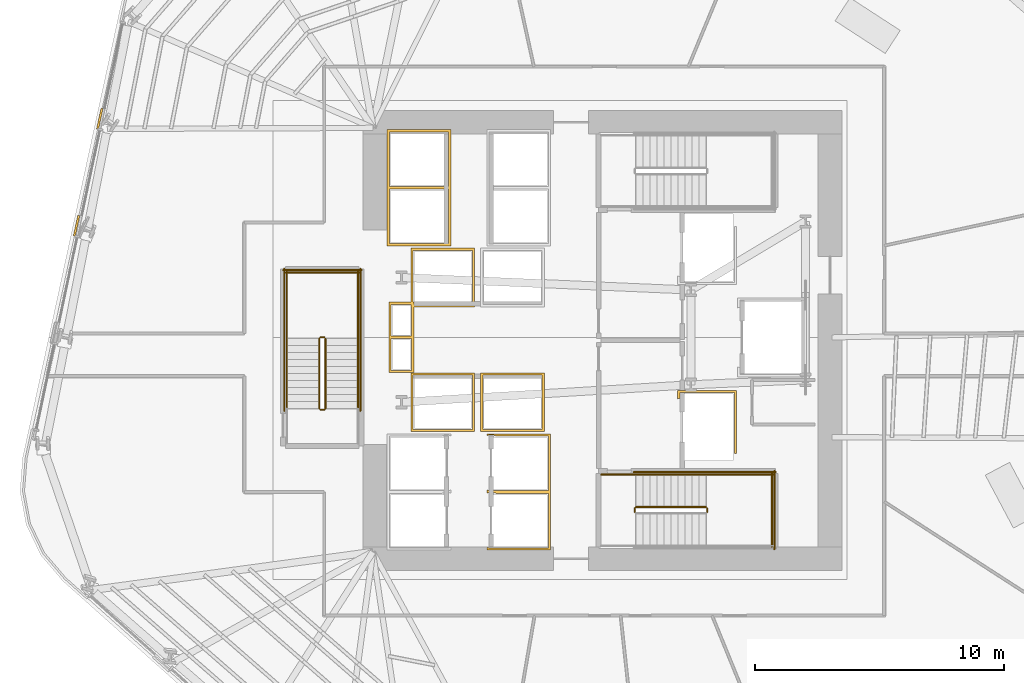
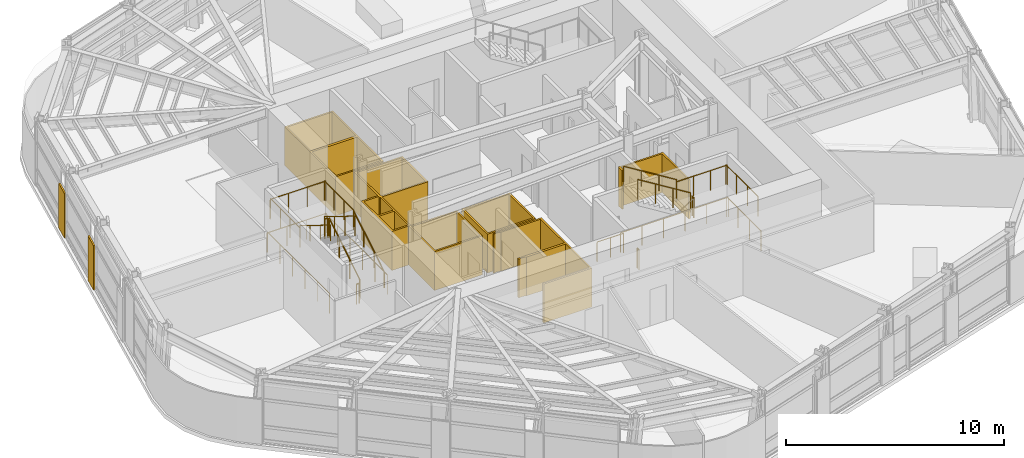
# One storey, part 12 of 16: 21 railings, 8 coverings.
"""IFC4 building model written with IfcOpenShell, lengths in metres."""

from ifc_helpers import new_model, si_unit, direction, frame, origin, origin_2d, place, context, subcontext, project, spatial, polyline, circle, outline, extrude, material, layer, layer_set, type_object, element, save


model = new_model("IFC4")

# Units and contexts
model_context = context("Model", 3, precision=1e-05, world=origin(), true_north=direction((0.0, 1.0)))
body_context = subcontext(model_context, "Body", "Model", "MODEL_VIEW")
ifc_project = project(units=[si_unit("LENGTHUNIT", "METRE"), si_unit("AREAUNIT", "SQUARE_METRE"), si_unit("VOLUMEUNIT", "CUBIC_METRE"), si_unit("PLANEANGLEUNIT", "RADIAN"), si_unit("MASSUNIT", "GRAM", prefix="KILO")], contexts=[model_context])

# Site, building, storey
site_placement = place(None, origin())
site = spatial("IfcSite", under=ifc_project, at=site_placement, CompositionType="ELEMENT")
building_placement = place(site_placement, origin())
building = spatial("IfcBuilding", under=site, at=building_placement, Name="Valkerne Bourse Tower", CompositionType="ELEMENT")
storey_placement = place(building_placement, frame((0.0, 0.0, 101.0)))
storey = spatial("IfcBuildingStorey", under=building, at=storey_placement, Name="L25", CompositionType="ELEMENT", Elevation=101.0)

# Coverings
ifc_material_1 = material(Name="Bronze Anodised Aluminium AA 6063-T6", Category="aluminium")
ifc_layer_1 = layer(ifc_material_1, 0.06005859375)
ifc_layer_set_1 = layer_set([ifc_layer_1], Name="Bronze Anodised Aluminium AA 6063-T6")
covering_type_1 = type_object("IfcCoveringType", Name="COV-CRN-ALUM", PredefinedType="CLADDING", material=ifc_layer_set_1)
covering_1_placement = place(storey_placement, origin())
element("IfcCovering", 1, at=covering_1_placement, inside=storey, type_object=covering_type_1, Name="L25 Wind-Shaped Corner Aluminium Cladding 11", PredefinedType="CLADDING", context=body_context, shape_type="SweptSolid", body=[
    extrude(outline(polyline([(25.77001953125, 31.8994140625), (25.84814453125, 31.8828125), (25.670166015625, 31.06201171875), (25.591796875, 31.07861328125), (25.77001953125, 31.8994140625)])), origin(), (0.0, 0.0, 1.0), 2.5),
])
covering_2_placement = place(storey_placement, origin())
element("IfcCovering", 2, at=covering_2_placement, inside=storey, type_object=covering_type_1, Name="L25 Wind-Shaped Corner Aluminium Cladding 12", PredefinedType="CLADDING", context=body_context, shape_type="SweptSolid", body=[
    extrude(outline(polyline([(26.699462890625, 36.182861328125), (26.777587890625, 36.166259765625), (26.599609375, 35.34521484375), (26.521240234375, 35.36181640625), (26.699462890625, 36.182861328125)])), origin(), (0.0, 0.0, 1.0), 2.5),
])
ifc_material_2 = material(Name="Gypsum Shaftwall Liner Board", Category="gypsum")
ifc_layer_2 = layer(ifc_material_2, 0.080078125)
ifc_layer_set_2 = layer_set([ifc_layer_2], Name="Gypsum Shaftwall Liner Board")
covering_type_2 = type_object("IfcCoveringType", Name="COV-SHF-CLAD", PredefinedType="CLADDING", material=ifc_layer_set_2)
covering_3_placement = place(storey_placement, origin())
element("IfcCovering", 3, at=covering_3_placement, inside=storey, type_object=covering_type_2, Name="L25 Hoistway & Riser Shaftwall Liner 02", PredefinedType="CLADDING", context=body_context, shape_type="SweptSolid", body=[
    extrude(outline(polyline([(41.679931640625, 23.219970703125), (39.1201171875, 23.219970703125), (39.1201171875, 25.580078125), (41.679931640625, 25.580078125), (41.679931640625, 23.219970703125)]), holes=[polyline([(39.2099609375, 25.489990234375), (39.2099609375, 23.31005859375), (41.590087890625, 23.31005859375), (41.590087890625, 25.489990234375), (39.2099609375, 25.489990234375)])]), origin(), (0.0, 0.0, 1.0), 2.179931640625),
])
covering_4_placement = place(storey_placement, origin())
element("IfcCovering", 4, at=covering_4_placement, inside=storey, type_object=covering_type_2, Name="L25 Hoistway & Riser Shaftwall Liner 03", PredefinedType="CLADDING", context=body_context, shape_type="SweptSolid", body=[
    extrude(outline(polyline([(44.47998046875, 23.219970703125), (41.919921875, 23.219970703125), (41.919921875, 25.580078125), (44.47998046875, 25.580078125), (44.47998046875, 23.219970703125)]), holes=[polyline([(42.010009765625, 25.489990234375), (42.010009765625, 23.31005859375), (44.389892578125, 23.31005859375), (44.389892578125, 25.489990234375), (42.010009765625, 25.489990234375)])]), origin(), (0.0, 0.0, 1.0), 2.179931640625),
])
covering_5_placement = place(storey_placement, origin())
element("IfcCovering", 5, at=covering_5_placement, inside=storey, type_object=covering_type_2, Name="L25 Hoistway & Riser Shaftwall Liner 04", PredefinedType="CLADDING", context=body_context, shape_type="SweptSolid", body=[
    extrude(outline(polyline([(38.239990234375, 28.409912109375), (39.1201171875, 28.409912109375), (39.1201171875, 30.580078125), (41.679931640625, 30.580078125), (41.679931640625, 28.219970703125), (39.239990234375, 28.219970703125), (39.239990234375, 27.0400390625), (39.239990234375, 26.9599609375), (39.239990234375, 25.590087890625), (38.239990234375, 25.590087890625), (38.239990234375, 26.9599609375), (38.239990234375, 27.0400390625), (38.239990234375, 28.409912109375)]), holes=[polyline([(39.2099609375, 30.489990234375), (39.2099609375, 28.409912109375), (39.239990234375, 28.409912109375), (39.239990234375, 28.31005859375), (41.590087890625, 28.31005859375), (41.590087890625, 30.489990234375), (39.2099609375, 30.489990234375)]), polyline([(38.330078125, 26.949951171875), (38.330078125, 25.679931640625), (39.14990234375, 25.679931640625), (39.14990234375, 26.949951171875), (38.330078125, 26.949951171875)]), polyline([(39.1201171875, 28.219970703125), (39.1201171875, 28.320068359375), (38.330078125, 28.320068359375), (38.330078125, 27.050048828125), (39.14990234375, 27.050048828125), (39.14990234375, 28.219970703125), (39.1201171875, 28.219970703125)])]), origin(), (0.0, 0.0, 1.0), 2.179931640625),
])
covering_6_placement = place(storey_placement, origin())
element("IfcCovering", 6, at=covering_6_placement, inside=storey, type_object=covering_type_2, Name="L25 Hoistway & Riser Shaftwall Liner 05", PredefinedType="CLADDING", context=body_context, shape_type="SweptSolid", body=[
    extrude(outline(polyline([(38.169921875, 35.330078125), (40.72998046875, 35.330078125), (40.72998046875, 33.030029296875), (40.72998046875, 32.969970703125), (40.72998046875, 30.669921875), (38.169921875, 30.669921875), (38.169921875, 32.969970703125), (38.169921875, 33.030029296875), (38.169921875, 35.330078125)]), holes=[polyline([(38.260009765625, 32.93994140625), (38.260009765625, 30.760009765625), (40.639892578125, 30.760009765625), (40.639892578125, 32.93994140625), (38.260009765625, 32.93994140625)]), polyline([(38.260009765625, 35.239990234375), (38.260009765625, 33.06005859375), (40.639892578125, 33.06005859375), (40.639892578125, 35.239990234375), (38.260009765625, 35.239990234375)])]), origin(), (0.0, 0.0, 1.0), 2.179931640625),
])
covering_7_placement = place(storey_placement, origin())
element("IfcCovering", 7, at=covering_7_placement, inside=storey, type_object=covering_type_2, Name="L25 Hoistway & Riser Shaftwall Liner 06", PredefinedType="CLADDING", context=body_context, shape_type="SweptSolid", body=[
    extrude(outline(polyline([(42.169921875, 20.830078125), (42.169921875, 20.887939453125), (42.177734375, 20.88427734375), (42.219482421875, 20.869384765625), (42.26220703125, 20.858642578125), (42.305908203125, 20.852294921875), (42.35009765625, 20.85009765625), (42.39404296875, 20.852294921875), (42.437744140625, 20.858642578125), (42.443115234375, 20.860107421875), (44.639892578125, 20.860107421875), (44.639892578125, 23.0400390625), (42.555419921875, 23.0400390625), (42.522216796875, 23.0556640625), (42.480712890625, 23.070556640625), (42.437744140625, 23.081298828125), (42.39404296875, 23.087890625), (42.35009765625, 23.090087890625), (42.305908203125, 23.087890625), (42.26220703125, 23.081298828125), (42.219482421875, 23.070556640625), (42.177734375, 23.0556640625), (42.169921875, 23.052001953125), (42.169921875, 23.1298828125), (44.72998046875, 23.1298828125), (44.72998046875, 20.830078125), (44.72998046875, 20.77001953125), (44.72998046875, 18.469970703125), (42.169921875, 18.469970703125), (42.169921875, 18.587890625), (42.177734375, 18.584228515625), (42.219482421875, 18.5693359375), (42.26220703125, 18.55859375), (42.305908203125, 18.55224609375), (42.35009765625, 18.550048828125), (42.39404296875, 18.55224609375), (42.437744140625, 18.55859375), (42.443115234375, 18.56005859375), (44.639892578125, 18.56005859375), (44.639892578125, 20.739990234375), (42.555419921875, 20.739990234375), (42.522216796875, 20.755615234375), (42.480712890625, 20.7705078125), (42.437744140625, 20.781494140625), (42.39404296875, 20.787841796875), (42.35009765625, 20.7900390625), (42.305908203125, 20.787841796875), (42.26220703125, 20.781494140625), (42.219482421875, 20.7705078125), (42.177734375, 20.755615234375), (42.169921875, 20.752197265625), (42.169921875, 20.77001953125), (42.169921875, 20.830078125)])), origin(), (0.0, 0.0, 1.0), 2.179931640625),
])
covering_8_placement = place(storey_placement, origin())
element("IfcCovering", 8, at=covering_8_placement, inside=storey, type_object=covering_type_2, Name="L25 Hoistway & Riser Shaftwall Liner 07", PredefinedType="CLADDING", context=body_context, shape_type="SweptSolid", body=[
    extrude(outline(polyline([(52.179931640625, 22.35009765625), (52.090087890625, 22.35009765625), (52.090087890625, 24.7900390625), (49.909912109375, 24.7900390625), (49.909912109375, 24.560791015625), (49.869384765625, 24.550537109375), (49.827880859375, 24.53564453125), (49.820068359375, 24.531982421875), (49.820068359375, 24.8798828125), (52.179931640625, 24.8798828125), (52.179931640625, 22.35009765625)])), origin(), (0.0, 0.0, 1.0), 2.179931640625),
])

# Railings
ifc_material_3 = material(Name="Galvanised Painted Steel", Category="steel")
railing_type_1 = type_object("IfcRailingType", Name="RLG-ST-GUARD-1120", PredefinedType="GUARDRAIL", material=ifc_material_3)
railing_1_placement = place(storey_placement, frame((51.0, 20.0, 1.89990234375)))
element("IfcRailing", 9, at=railing_1_placement, inside=storey, type_object=railing_type_1, Name="L25 ST-1 stair guard 2", PredefinedType="GUARDRAIL", context=body_context, shape_type="SweptSolid", body=[
    extrude(circle(Radius=0.02392578125, at=origin_2d()), frame((0.0, 0.0, 1.09619140625), z_axis=(0.0, 1.0, 0.0), x_axis=(-1.0, 0.0, 0.0)), (0.0, 0.0, 1.0), 0.14990234375),
    extrude(circle(Radius=0.02099609375, at=origin_2d()), origin(), (0.0, 0.0, 1.0), 1.072021484375),
    extrude(circle(Radius=0.02099609375, at=origin_2d()), frame((0.0, 0.14990234375, 0.0)), (0.0, 0.0, 1.0), 1.072021484375),
])
railing_2_placement = place(storey_placement, frame((50.949951171875, 21.5, 1.89990234375)))
element("IfcRailing", 10, at=railing_2_placement, inside=storey, type_object=railing_type_1, Name="L25 ST-1 stair guard 4", PredefinedType="GUARDRAIL", context=body_context, shape_type="SweptSolid", body=[
    extrude(circle(Radius=0.02392578125, at=origin_2d()), frame((0.0, 0.0, 1.09619140625), z_axis=(1.0, 0.0, 0.0), x_axis=(0.0, 1.0, 0.0)), (0.0, 0.0, 1.0), 2.699951171875),
    extrude(circle(Radius=0.02099609375, at=origin_2d()), origin(), (0.0, 0.0, 1.0), 1.072021484375),
    extrude(circle(Radius=0.02099609375, at=origin_2d()), frame((0.89990234375, 0.0, 0.0)), (0.0, 0.0, 1.0), 1.072021484375),
    extrude(circle(Radius=0.02099609375, at=origin_2d()), frame((1.800048828125, 0.0, 0.0)), (0.0, 0.0, 1.0), 1.072021484375),
    extrude(circle(Radius=0.02099609375, at=origin_2d()), frame((2.699951171875, 0.0, 0.0)), (0.0, 0.0, 1.0), 1.072021484375),
])
railing_3_placement = place(storey_placement, frame((53.60009765625, 18.60009765625, 1.89990234375)))
element("IfcRailing", 11, at=railing_3_placement, inside=storey, type_object=railing_type_1, Name="L25 ST-1 stair guard 5", PredefinedType="GUARDRAIL", context=body_context, shape_type="SweptSolid", body=[
    extrude(circle(Radius=0.02392578125, at=origin_2d()), frame((0.0, 0.0, 1.09619140625), z_axis=(0.0, 1.0, 0.0), x_axis=(-1.0, 0.0, 0.0)), (0.0, 0.0, 1.0), 2.949951171875),
    extrude(circle(Radius=0.02099609375, at=origin_2d()), origin(), (0.0, 0.0, 1.0), 1.072021484375),
    extrude(circle(Radius=0.02099609375, at=origin_2d()), frame((0.0, 0.9833984375, 0.0)), (0.0, 0.0, 1.0), 1.072021484375),
    extrude(circle(Radius=0.02099609375, at=origin_2d()), frame((0.0, 1.966552734375, 0.0)), (0.0, 0.0, 1.0), 1.072021484375),
    extrude(circle(Radius=0.02099609375, at=origin_2d()), frame((0.0, 2.949951171875, 0.0)), (0.0, 0.0, 1.0), 1.072021484375),
])
railing_4_placement = place(storey_placement, frame((50.949951171875, 20.199951171875, 2.07275390625)))
element("IfcRailing", 12, at=railing_4_placement, inside=storey, type_object=railing_type_1, Name="L25 ST-1 stair guard 6", PredefinedType="GUARDRAIL", context=body_context, shape_type="SweptSolid", body=[
    extrude(circle(Radius=0.02392578125, at=origin_2d()), frame((0.0, 0.0, 1.09619140625), z_axis=(-0.851089632645, 0.0, 0.525020415988), x_axis=(0.0, -1.0, 0.0)), (0.0, 0.0, 1.0), 3.2900390625),
    extrude(circle(Radius=0.02099609375, at=origin_2d()), origin(), (0.0, 0.0, 1.0), 1.072021484375),
    extrude(circle(Radius=0.02099609375, at=origin_2d()), frame((-0.933349609375, 0.0, 0.57568359375)), (0.0, 0.0, 1.0), 1.072021484375),
    extrude(circle(Radius=0.02099609375, at=origin_2d()), frame((-1.86669921875, 0.0, 1.151611328125)), (0.0, 0.0, 1.0), 1.072021484375),
    extrude(circle(Radius=0.02099609375, at=origin_2d()), frame((-2.800048828125, 0.0, 1.727294921875)), (0.0, 0.0, 1.0), 1.072021484375),
])
railing_5_placement = place(storey_placement, frame((48.10009765625, 20.0, 0.0)))
element("IfcRailing", 13, at=railing_5_placement, inside=storey, type_object=railing_type_1, Name="L25 ST-1 stair guard 7", PredefinedType="GUARDRAIL", context=body_context, shape_type="SweptSolid", body=[
    extrude(circle(Radius=0.02392578125, at=origin_2d()), frame((0.0, 0.0, 1.09619140625), z_axis=(0.0, 1.0, 0.0), x_axis=(-1.0, 0.0, 0.0)), (0.0, 0.0, 1.0), 0.14990234375),
    extrude(circle(Radius=0.02099609375, at=origin_2d()), origin(), (0.0, 0.0, 1.0), 1.072021484375),
    extrude(circle(Radius=0.02099609375, at=origin_2d()), frame((0.0, 0.14990234375, 0.0)), (0.0, 0.0, 1.0), 1.072021484375),
])
railing_6_placement = place(storey_placement, frame((46.75, 21.5, 0.0)))
element("IfcRailing", 14, at=railing_6_placement, inside=storey, type_object=railing_type_1, Name="L25 ST-1 stair guard 9", PredefinedType="GUARDRAIL", context=body_context, shape_type="SweptSolid", body=[
    extrude(circle(Radius=0.02392578125, at=origin_2d()), frame((0.0, 0.0, 1.09619140625), z_axis=(1.0, 0.0, 0.0), x_axis=(0.0, 1.0, 0.0)), (0.0, 0.0, 1.0), 1.39990234375),
    extrude(circle(Radius=0.02099609375, at=origin_2d()), origin(), (0.0, 0.0, 1.0), 1.072021484375),
    extrude(circle(Radius=0.02099609375, at=origin_2d()), frame((0.699951171875, 0.0, 0.0)), (0.0, 0.0, 1.0), 1.072021484375),
    extrude(circle(Radius=0.02099609375, at=origin_2d()), frame((1.39990234375, 0.0, 0.0)), (0.0, 0.0, 1.0), 1.072021484375),
])
railing_7_placement = place(storey_placement, frame((48.050048828125, 21.60009765625, 0.0)))
element("IfcRailing", 15, at=railing_7_placement, inside=storey, type_object=railing_type_1, Name="L25 ST-1 stair guard 11", PredefinedType="GUARDRAIL", context=body_context, shape_type="SweptSolid", body=[
    extrude(circle(Radius=0.02392578125, at=origin_2d()), frame((0.0, 0.0, 1.09619140625), z_axis=(1.0, 0.0, 0.0), x_axis=(0.0, 1.0, 0.0)), (0.0, 0.0, 1.0), 5.699951171875),
    extrude(circle(Radius=0.02099609375, at=origin_2d()), origin(), (0.0, 0.0, 1.0), 1.072021484375),
    extrude(circle(Radius=0.02099609375, at=origin_2d()), frame((1.139892578125, 0.0, 0.0)), (0.0, 0.0, 1.0), 1.072021484375),
    extrude(circle(Radius=0.02099609375, at=origin_2d()), frame((2.280029296875, 0.0, 0.0)), (0.0, 0.0, 1.0), 1.072021484375),
    extrude(circle(Radius=0.02099609375, at=origin_2d()), frame((3.419921875, 0.0, 0.0)), (0.0, 0.0, 1.0), 1.072021484375),
    extrude(circle(Radius=0.02099609375, at=origin_2d()), frame((4.56005859375, 0.0, 0.0)), (0.0, 0.0, 1.0), 1.072021484375),
    extrude(circle(Radius=0.02099609375, at=origin_2d()), frame((5.699951171875, 0.0, 0.0)), (0.0, 0.0, 1.0), 1.072021484375),
])
railing_8_placement = place(storey_placement, frame((53.699951171875, 18.5, 0.0)))
element("IfcRailing", 16, at=railing_8_placement, inside=storey, type_object=railing_type_1, Name="L25 ST-1 stair guard 12", PredefinedType="GUARDRAIL", context=body_context, shape_type="SweptSolid", body=[
    extrude(circle(Radius=0.02392578125, at=origin_2d()), frame((0.0, 0.0, 1.09619140625), z_axis=(0.0, 1.0, 0.0), x_axis=(-1.0, 0.0, 0.0)), (0.0, 0.0, 1.0), 3.14990234375),
    extrude(circle(Radius=0.02099609375, at=origin_2d()), origin(), (0.0, 0.0, 1.0), 1.072021484375),
    extrude(circle(Radius=0.02099609375, at=origin_2d()), frame((0.0, 1.050048828125, 0.0)), (0.0, 0.0, 1.0), 1.072021484375),
    extrude(circle(Radius=0.02099609375, at=origin_2d()), frame((0.0, 2.099853515625, 0.0)), (0.0, 0.0, 1.0), 1.072021484375),
    extrude(circle(Radius=0.02099609375, at=origin_2d()), frame((0.0, 3.14990234375, 0.0)), (0.0, 0.0, 1.0), 1.072021484375),
])
railing_9_placement = place(storey_placement, frame((35.699951171875, 24.14990234375, 0.172607421875)))
element("IfcRailing", 17, at=railing_9_placement, inside=storey, type_object=railing_type_1, Name="L25 ST-3 stair guard 1", PredefinedType="GUARDRAIL", context=body_context, shape_type="SweptSolid", body=[
    extrude(circle(Radius=0.02392578125, at=origin_2d()), frame((0.0, 0.0, 1.09619140625), z_axis=(0.0, 0.851089632645, 0.525020415988), x_axis=(-1.0, 0.0, 0.0)), (0.0, 0.0, 1.0), 3.2900390625),
    extrude(circle(Radius=0.02099609375, at=origin_2d()), origin(), (0.0, 0.0, 1.0), 1.072021484375),
    extrude(circle(Radius=0.02099609375, at=origin_2d()), frame((0.0, 0.933349609375, 0.57568359375)), (0.0, 0.0, 1.0), 1.072021484375),
    extrude(circle(Radius=0.02099609375, at=origin_2d()), frame((0.0, 1.86669921875, 1.151611328125)), (0.0, 0.0, 1.0), 1.072021484375),
    extrude(circle(Radius=0.02099609375, at=origin_2d()), frame((0.0, 2.800048828125, 1.727294921875)), (0.0, 0.0, 1.0), 1.072021484375),
])
railing_10_placement = place(storey_placement, frame((35.64990234375, 27.0, 1.89990234375)))
element("IfcRailing", 18, at=railing_10_placement, inside=storey, type_object=railing_type_1, Name="L25 ST-3 stair guard 2", PredefinedType="GUARDRAIL", context=body_context, shape_type="SweptSolid", body=[
    extrude(circle(Radius=0.02392578125, at=origin_2d()), frame((0.0, 0.0, 1.09619140625), z_axis=(-1.0, 0.0, 0.0), x_axis=(0.0, -1.0, 0.0)), (0.0, 0.0, 1.0), 0.14990234375),
    extrude(circle(Radius=0.02099609375, at=origin_2d()), origin(), (0.0, 0.0, 1.0), 1.072021484375),
    extrude(circle(Radius=0.02099609375, at=origin_2d()), frame((-0.14990234375, 0.0, 0.0)), (0.0, 0.0, 1.0), 1.072021484375),
])
for number, where, name in (
    (19, (37.0, 26.949951171875, 1.89990234375), "L25 ST-3 stair guard 3"),
    (20, (34.14990234375, 26.949951171875, 1.89990234375), "L25 ST-3 stair guard 4"),
):
    element("IfcRailing", number, at=place(storey_placement, frame(where)), inside=storey, type_object=railing_type_1, Name=name, PredefinedType="GUARDRAIL", context=body_context, shape_type="SweptSolid", body=[
        extrude(circle(Radius=0.02392578125, at=origin_2d()), frame((0.0, 0.0, 1.09619140625), z_axis=(0.0, 1.0, 0.0), x_axis=(-1.0, 0.0, 0.0)), (0.0, 0.0, 1.0), 2.699951171875),
        extrude(circle(Radius=0.02099609375, at=origin_2d()), origin(), (0.0, 0.0, 1.0), 1.072021484375),
        extrude(circle(Radius=0.02099609375, at=origin_2d()), frame((0.0, 0.89990234375, 0.0)), (0.0, 0.0, 1.0), 1.072021484375),
        extrude(circle(Radius=0.02099609375, at=origin_2d()), frame((0.0, 1.800048828125, 0.0)), (0.0, 0.0, 1.0), 1.072021484375),
        extrude(circle(Radius=0.02099609375, at=origin_2d()), frame((0.0, 2.699951171875, 0.0)), (0.0, 0.0, 1.0), 1.072021484375),
    ])
railing_11_placement = place(storey_placement, frame((37.050048828125, 29.60009765625, 1.89990234375)))
element("IfcRailing", 21, at=railing_11_placement, inside=storey, type_object=railing_type_1, Name="L25 ST-3 stair guard 5", PredefinedType="GUARDRAIL", context=body_context, shape_type="SweptSolid", body=[
    extrude(circle(Radius=0.02392578125, at=origin_2d()), frame((0.0, 0.0, 1.09619140625), z_axis=(-1.0, 0.0, 0.0), x_axis=(0.0, -1.0, 0.0)), (0.0, 0.0, 1.0), 2.949951171875),
    extrude(circle(Radius=0.02099609375, at=origin_2d()), origin(), (0.0, 0.0, 1.0), 1.072021484375),
    extrude(circle(Radius=0.02099609375, at=origin_2d()), frame((-0.9833984375, 0.0, 0.0)), (0.0, 0.0, 1.0), 1.072021484375),
    extrude(circle(Radius=0.02099609375, at=origin_2d()), frame((-1.966552734375, 0.0, 0.0)), (0.0, 0.0, 1.0), 1.072021484375),
    extrude(circle(Radius=0.02099609375, at=origin_2d()), frame((-2.949951171875, 0.0, 0.0)), (0.0, 0.0, 1.0), 1.072021484375),
])
railing_12_placement = place(storey_placement, frame((35.449951171875, 26.949951171875, 2.07275390625)))
element("IfcRailing", 22, at=railing_12_placement, inside=storey, type_object=railing_type_1, Name="L25 ST-3 stair guard 6", PredefinedType="GUARDRAIL", context=body_context, shape_type="SweptSolid", body=[
    extrude(circle(Radius=0.02392578125, at=origin_2d()), frame((0.0, 0.0, 1.09619140625), z_axis=(0.0, -0.851089632645, 0.525020415988), x_axis=(1.0, 0.0, 0.0)), (0.0, 0.0, 1.0), 3.2900390625),
    extrude(circle(Radius=0.02099609375, at=origin_2d()), origin(), (0.0, 0.0, 1.0), 1.072021484375),
    extrude(circle(Radius=0.02099609375, at=origin_2d()), frame((0.0, -0.933349609375, 0.57568359375)), (0.0, 0.0, 1.0), 1.072021484375),
    extrude(circle(Radius=0.02099609375, at=origin_2d()), frame((0.0, -1.86669921875, 1.151611328125)), (0.0, 0.0, 1.0), 1.072021484375),
    extrude(circle(Radius=0.02099609375, at=origin_2d()), frame((0.0, -2.800048828125, 1.727294921875)), (0.0, 0.0, 1.0), 1.072021484375),
])
railing_13_placement = place(storey_placement, frame((35.64990234375, 24.10009765625, 0.0)))
element("IfcRailing", 23, at=railing_13_placement, inside=storey, type_object=railing_type_1, Name="L25 ST-3 stair guard 7", PredefinedType="GUARDRAIL", context=body_context, shape_type="SweptSolid", body=[
    extrude(circle(Radius=0.02392578125, at=origin_2d()), frame((0.0, 0.0, 1.09619140625), z_axis=(-1.0, 0.0, 0.0), x_axis=(0.0, -1.0, 0.0)), (0.0, 0.0, 1.0), 0.14990234375),
    extrude(circle(Radius=0.02099609375, at=origin_2d()), origin(), (0.0, 0.0, 1.0), 1.072021484375),
    extrude(circle(Radius=0.02099609375, at=origin_2d()), frame((-0.14990234375, 0.0, 0.0)), (0.0, 0.0, 1.0), 1.072021484375),
])
for number, where, name in (
    (24, (37.10009765625, 24.050048828125, 0.0), "L25 ST-3 stair guard 10"),
    (25, (34.050048828125, 24.050048828125, 0.0), "L25 ST-3 stair guard 11"),
):
    element("IfcRailing", number, at=place(storey_placement, frame(where)), inside=storey, type_object=railing_type_1, Name=name, PredefinedType="GUARDRAIL", context=body_context, shape_type="SweptSolid", body=[
        extrude(circle(Radius=0.02392578125, at=origin_2d()), frame((0.0, 0.0, 1.09619140625), z_axis=(0.0, 1.0, 0.0), x_axis=(-1.0, 0.0, 0.0)), (0.0, 0.0, 1.0), 5.699951171875),
        extrude(circle(Radius=0.02099609375, at=origin_2d()), origin(), (0.0, 0.0, 1.0), 1.072021484375),
        extrude(circle(Radius=0.02099609375, at=origin_2d()), frame((0.0, 1.139892578125, 0.0)), (0.0, 0.0, 1.0), 1.072021484375),
        extrude(circle(Radius=0.02099609375, at=origin_2d()), frame((0.0, 2.280029296875, 0.0)), (0.0, 0.0, 1.0), 1.072021484375),
        extrude(circle(Radius=0.02099609375, at=origin_2d()), frame((0.0, 3.419921875, 0.0)), (0.0, 0.0, 1.0), 1.072021484375),
        extrude(circle(Radius=0.02099609375, at=origin_2d()), frame((0.0, 4.56005859375, 0.0)), (0.0, 0.0, 1.0), 1.072021484375),
        extrude(circle(Radius=0.02099609375, at=origin_2d()), frame((0.0, 5.699951171875, 0.0)), (0.0, 0.0, 1.0), 1.072021484375),
    ])
railing_14_placement = place(storey_placement, frame((37.14990234375, 29.699951171875, 0.0)))
element("IfcRailing", 26, at=railing_14_placement, inside=storey, type_object=railing_type_1, Name="L25 ST-3 stair guard 12", PredefinedType="GUARDRAIL", context=body_context, shape_type="SweptSolid", body=[
    extrude(circle(Radius=0.02392578125, at=origin_2d()), frame((0.0, 0.0, 1.09619140625), z_axis=(-1.0, 0.0, 0.0), x_axis=(0.0, -1.0, 0.0)), (0.0, 0.0, 1.0), 3.14990234375),
    extrude(circle(Radius=0.02099609375, at=origin_2d()), origin(), (0.0, 0.0, 1.0), 1.072021484375),
    extrude(circle(Radius=0.02099609375, at=origin_2d()), frame((-1.050048828125, 0.0, 0.0)), (0.0, 0.0, 1.0), 1.072021484375),
    extrude(circle(Radius=0.02099609375, at=origin_2d()), frame((-2.099853515625, 0.0, 0.0)), (0.0, 0.0, 1.0), 1.072021484375),
    extrude(circle(Radius=0.02099609375, at=origin_2d()), frame((-3.14990234375, 0.0, 0.0)), (0.0, 0.0, 1.0), 1.072021484375),
])
ifc_material_4 = material(Name="Stainless Steel AISI 316", Category="steel")
railing_type_2 = type_object("IfcRailingType", Name="RLG-ST-HANDRAIL-900", PredefinedType="HANDRAIL", material=ifc_material_4)
railing_15_placement = place(storey_placement, frame((50.949951171875, 21.5, 2.245361328125)))
element("IfcRailing", 27, at=railing_15_placement, inside=storey, type_object=railing_type_2, Name="L25 ST-1 stair handrail 2", PredefinedType="HANDRAIL", context=body_context, shape_type="SweptSolid", body=[
    extrude(circle(Radius=0.02392578125, at=origin_2d()), frame((0.0, 0.0, 0.8759765625), z_axis=(-0.851089632645, 0.0, 0.525020415988), x_axis=(0.0, -1.0, 0.0)), (0.0, 0.0, 1.0), 3.2900390625),
    extrude(circle(Radius=0.02099609375, at=origin_2d()), origin(), (0.0, 0.0, 1.0), 0.851806640625),
    extrude(circle(Radius=0.02099609375, at=origin_2d()), frame((-0.933349609375, 0.0, 0.57568359375)), (0.0, 0.0, 1.0), 0.851806640625),
    extrude(circle(Radius=0.02099609375, at=origin_2d()), frame((-1.86669921875, 0.0, 1.151611328125)), (0.0, 0.0, 1.0), 0.851806640625),
    extrude(circle(Radius=0.02099609375, at=origin_2d()), frame((-2.800048828125, 0.0, 1.727294921875)), (0.0, 0.0, 1.0), 0.851806640625),
])
railing_16_placement = place(storey_placement, frame((37.0, 24.14990234375, 0.345458984375)))
element("IfcRailing", 28, at=railing_16_placement, inside=storey, type_object=railing_type_2, Name="L25 ST-3 stair handrail 1", PredefinedType="HANDRAIL", context=body_context, shape_type="SweptSolid", body=[
    extrude(circle(Radius=0.02392578125, at=origin_2d()), frame((0.0, 0.0, 0.8759765625), z_axis=(0.0, 0.851089632645, 0.525020415988), x_axis=(-1.0, 0.0, 0.0)), (0.0, 0.0, 1.0), 3.2900390625),
    extrude(circle(Radius=0.02099609375, at=origin_2d()), origin(), (0.0, 0.0, 1.0), 0.851806640625),
    extrude(circle(Radius=0.02099609375, at=origin_2d()), frame((0.0, 0.933349609375, 0.57568359375)), (0.0, 0.0, 1.0), 0.851806640625),
    extrude(circle(Radius=0.02099609375, at=origin_2d()), frame((0.0, 1.86669921875, 1.151611328125)), (0.0, 0.0, 1.0), 0.851806640625),
    extrude(circle(Radius=0.02099609375, at=origin_2d()), frame((0.0, 2.800048828125, 1.727294921875)), (0.0, 0.0, 1.0), 0.851806640625),
])
railing_17_placement = place(storey_placement, frame((34.14990234375, 26.949951171875, 2.245361328125)))
element("IfcRailing", 29, at=railing_17_placement, inside=storey, type_object=railing_type_2, Name="L25 ST-3 stair handrail 2", PredefinedType="HANDRAIL", context=body_context, shape_type="SweptSolid", body=[
    extrude(circle(Radius=0.02392578125, at=origin_2d()), frame((0.0, 0.0, 0.8759765625), z_axis=(0.0, -0.851089632645, 0.525020415988), x_axis=(1.0, 0.0, 0.0)), (0.0, 0.0, 1.0), 3.2900390625),
    extrude(circle(Radius=0.02099609375, at=origin_2d()), origin(), (0.0, 0.0, 1.0), 0.851806640625),
    extrude(circle(Radius=0.02099609375, at=origin_2d()), frame((0.0, -0.933349609375, 0.57568359375)), (0.0, 0.0, 1.0), 0.851806640625),
    extrude(circle(Radius=0.02099609375, at=origin_2d()), frame((0.0, -1.86669921875, 1.151611328125)), (0.0, 0.0, 1.0), 0.851806640625),
    extrude(circle(Radius=0.02099609375, at=origin_2d()), frame((0.0, -2.800048828125, 1.727294921875)), (0.0, 0.0, 1.0), 0.851806640625),
])

save(model, "model.ifc")
